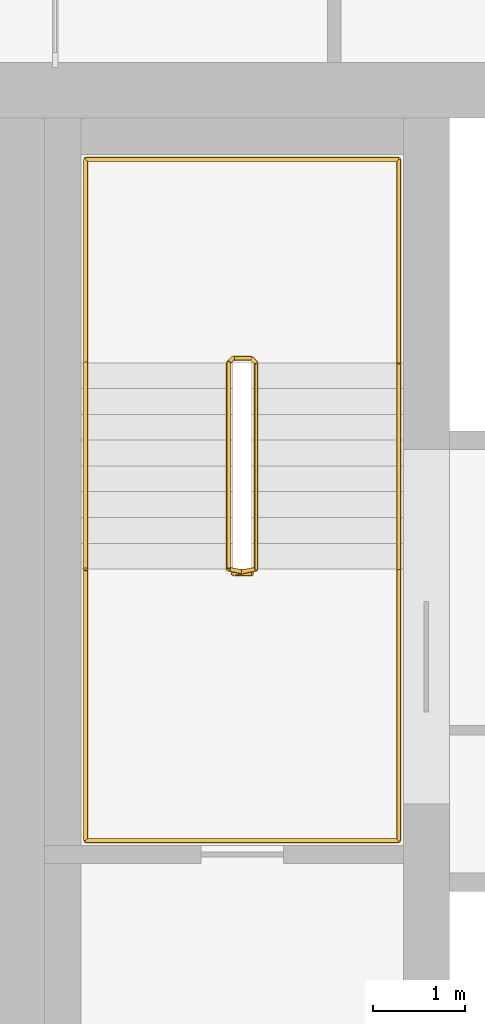
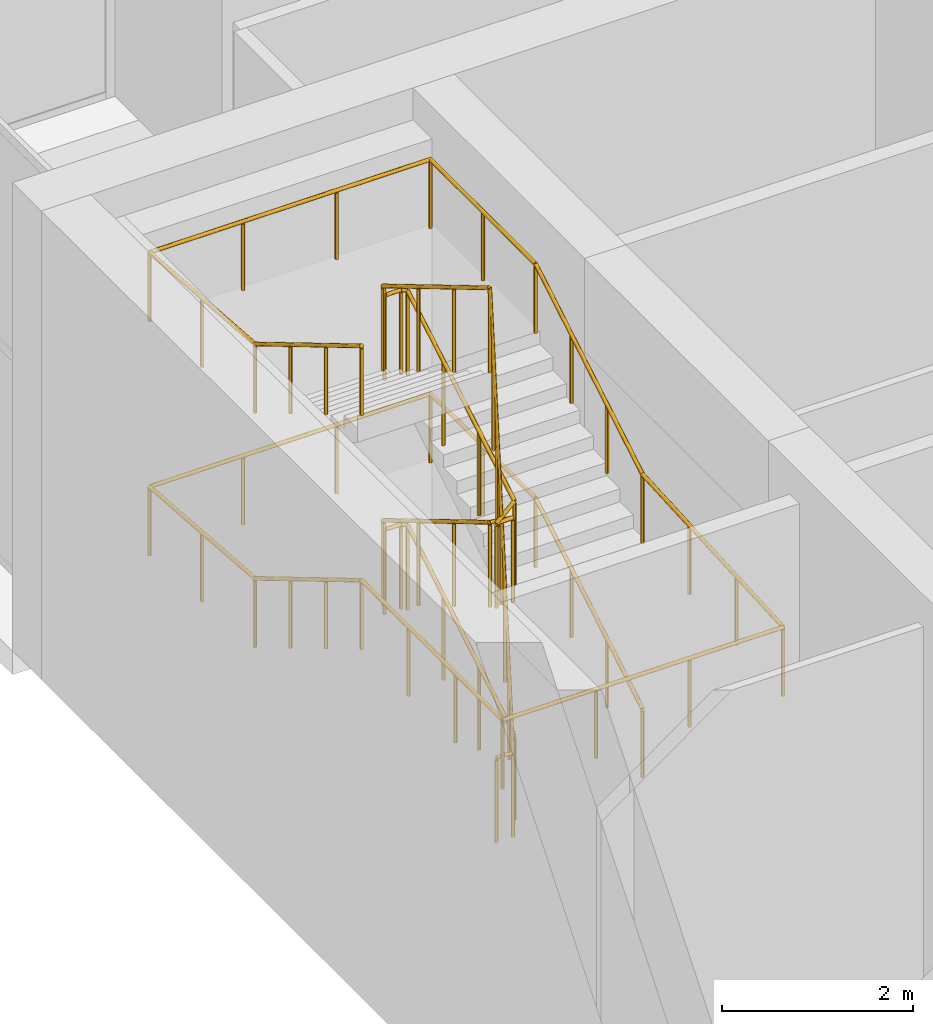
# One storey, part 15 of 15: 2 railings.
"""IFC4 building model written with IfcOpenShell, lengths in metres."""

from ifc_helpers import new_model, si_unit, direction, frame, origin, origin_2d, place, context, subcontext, project, spatial, circle, extrude, material, type_object, element, save


model = new_model("IFC4")

# Units and contexts
model_context = context("Model", 3, precision=1e-05, world=origin(), true_north=direction((0.0, 1.0)))
body_context = subcontext(model_context, "Body", "Model", "MODEL_VIEW")
ifc_project = project(units=[si_unit("LENGTHUNIT", "METRE"), si_unit("AREAUNIT", "SQUARE_METRE"), si_unit("VOLUMEUNIT", "CUBIC_METRE"), si_unit("PLANEANGLEUNIT", "RADIAN"), si_unit("MASSUNIT", "GRAM", prefix="KILO")], contexts=[model_context])

# Site, building, storey
site_placement = place(None, origin())
site = spatial("IfcSite", under=ifc_project, at=site_placement, CompositionType="ELEMENT")
building_placement = place(site_placement, origin())
building = spatial("IfcBuilding", under=site, at=building_placement, Name="Tamorin Gate", CompositionType="ELEMENT")
storey_placement = place(building_placement, frame((0.0, 0.0, 308.699951171875)))
storey = spatial("IfcBuildingStorey", under=building, at=storey_placement, Name="L76", CompositionType="ELEMENT", Elevation=308.699951171875)

# Railings
ifc_material_1 = material(Name="Painted steel balustrade", Category="steel")
railing_type_1 = type_object("IfcRailingType", Name="Stair guard 1100", PredefinedType="GUARDRAIL", material=ifc_material_1)
railing_1_placement = place(storey_placement, frame((32.89990234375, 77.0, 0.166748046875)))
element("IfcRailing", 1, at=railing_1_placement, inside=storey, type_object=railing_type_1, Name="L76 ST2 stair guard 1", PredefinedType="GUARDRAIL", context=body_context, shape_type="SweptSolid", body=[
    extrude(circle(Radius=0.02392578125, at=origin_2d()), frame((0.0, 0.0, 1.076171875), z_axis=(0.0, 0.859305625298, 0.511462454469), x_axis=(-1.0, 0.0, 0.0)), (0.0, 0.0, 1.0), 2.606689453125),
    extrude(circle(Radius=0.02392578125, at=origin_2d()), frame((0.0, 2.239990234375, 2.4091796875), z_axis=(-0.705375805398, 0.708833529934, 0.0), x_axis=(-0.708833529934, -0.705375805398, 0.0)), (0.0, 0.0, 1.0), 0.070556640625),
    extrude(circle(Radius=0.02392578125, at=origin_2d()), frame((-0.0498046875, 2.2900390625, 2.4091796875), z_axis=(-1.0, 0.0, 0.0), x_axis=(0.0, -1.0, 0.0)), (0.0, 0.0, 1.0), 0.2001953125),
    extrude(circle(Radius=0.02392578125, at=origin_2d()), frame((-0.25, 2.2900390625, 2.4091796875), z_axis=(-0.275041040955, -0.276389281352, 0.920848191041), x_axis=(0.708833529934, -0.705375805398, 0.0)), (0.0, 0.0, 1.0), 0.18115234375),
    extrude(circle(Radius=0.02392578125, at=origin_2d()), frame((-0.2998046875, 2.239990234375, 2.576171875), z_axis=(0.0, -0.859305625298, 0.511462454469), x_axis=(1.0, 0.0, 0.0)), (0.0, 0.0, 1.0), 2.606689453125),
    extrude(circle(Radius=0.02392578125, at=origin_2d()), frame((-0.2998046875, 0.0, 3.9091796875), z_axis=(0.98054382908, -0.196300278283, 0.0), x_axis=(0.196300278283, 0.98054382908, 0.0)), (0.0, 0.0, 1.0), 0.2548828125),
    extrude(circle(Radius=0.02392578125, at=origin_2d()), frame((-0.0498046875, -0.050048828125, 3.9091796875), z_axis=(-1.0, 0.0, 0.0), x_axis=(0.0, -1.0, 0.0)), (0.0, 0.0, 1.0), 0.2001953125),
    extrude(circle(Radius=0.02392578125, at=origin_2d()), frame((-0.25, -0.050048828125, 3.9091796875), z_axis=(0.820621892478, 0.164284656209, 0.547348391174), x_axis=(-0.196300278283, 0.98054382908, 0.0)), (0.0, 0.0, 1.0), 0.3046875),
    extrude(circle(Radius=0.02392578125, at=origin_2d()), frame((0.0, 0.0, 4.076171875), z_axis=(0.0, 0.859305625298, 0.511462454469), x_axis=(-1.0, 0.0, 0.0)), (0.0, 0.0, 1.0), 2.606689453125),
    extrude(circle(Radius=0.02392578125, at=origin_2d()), frame((0.0, 2.239990234375, 5.4091796875), z_axis=(-0.705375805398, 0.708833529934, 0.0), x_axis=(-0.708833529934, -0.705375805398, 0.0)), (0.0, 0.0, 1.0), 0.070556640625),
    extrude(circle(Radius=0.02392578125, at=origin_2d()), frame((-0.0498046875, 2.2900390625, 5.4091796875), z_axis=(-1.0, 0.0, 0.0), x_axis=(0.0, -1.0, 0.0)), (0.0, 0.0, 1.0), 0.2001953125),
    extrude(circle(Radius=0.02392578125, at=origin_2d()), frame((-0.25, 2.2900390625, 5.4091796875), z_axis=(-0.275041040955, -0.276389281352, 0.920848191041), x_axis=(0.708833529934, -0.705375805398, 0.0)), (0.0, 0.0, 1.0), 0.18115234375),
    extrude(circle(Radius=0.02392578125, at=origin_2d()), frame((-0.2998046875, 2.239990234375, 5.576171875), z_axis=(0.0, -0.859305625298, 0.511462454469), x_axis=(1.0, 0.0, 0.0)), (0.0, 0.0, 1.0), 2.606689453125),
    extrude(circle(Radius=0.02392578125, at=origin_2d()), frame((-0.2998046875, 0.0, 6.9091796875), z_axis=(0.041629098968, -0.008333950477, -0.999098375231), x_axis=(0.196300278283, 0.98054382908, 0.0)), (0.0, 0.0, 1.0), 6.00537109375),
    extrude(circle(Radius=0.02392578125, at=origin_2d()), frame((-0.0498046875, -0.050048828125, 0.9091796875), z_axis=(-1.0, 0.0, 0.0), x_axis=(0.0, -1.0, 0.0)), (0.0, 0.0, 1.0), 0.2001953125),
    extrude(circle(Radius=0.02099609375, at=origin_2d()), origin(), (0.0, 0.0, 1.0), 1.052001953125),
    extrude(circle(Radius=0.02099609375, at=origin_2d()), frame((0.0, 0.74658203125, 0.4443359375)), (0.0, 0.0, 1.0), 1.052001953125),
    extrude(circle(Radius=0.02099609375, at=origin_2d()), frame((0.0, 1.493408203125, 0.888916015625)), (0.0, 0.0, 1.0), 1.052001953125),
    extrude(circle(Radius=0.02099609375, at=origin_2d()), frame((0.0, 2.239990234375, 1.333251953125)), (0.0, 0.0, 1.0), 1.052001953125),
    extrude(circle(Radius=0.02099609375, at=origin_2d()), frame((-0.0498046875, 2.2900390625, 1.333251953125)), (0.0, 0.0, 1.0), 1.052001953125),
    extrude(circle(Radius=0.02099609375, at=origin_2d()), frame((-0.25, 2.2900390625, 1.333251953125)), (0.0, 0.0, 1.0), 1.052001953125),
    extrude(circle(Radius=0.02099609375, at=origin_2d()), frame((-0.2998046875, 2.239990234375, 1.5)), (0.0, 0.0, 1.0), 1.052001953125),
    extrude(circle(Radius=0.02099609375, at=origin_2d()), frame((-0.2998046875, 1.493408203125, 1.9443359375)), (0.0, 0.0, 1.0), 1.052001953125),
    extrude(circle(Radius=0.02099609375, at=origin_2d()), frame((-0.2998046875, 0.74658203125, 2.388916015625)), (0.0, 0.0, 1.0), 1.052001953125),
    extrude(circle(Radius=0.02099609375, at=origin_2d()), frame((-0.2998046875, 0.0, 2.833251953125)), (0.0, 0.0, 1.0), 1.052001953125),
    extrude(circle(Radius=0.02099609375, at=origin_2d()), frame((-0.0498046875, -0.050048828125, 2.833251953125)), (0.0, 0.0, 1.0), 1.052001953125),
    extrude(circle(Radius=0.02099609375, at=origin_2d()), frame((-0.25, -0.050048828125, 2.833251953125)), (0.0, 0.0, 1.0), 1.052001953125),
    extrude(circle(Radius=0.02099609375, at=origin_2d()), frame((0.0, 0.0, 3.0)), (0.0, 0.0, 1.0), 1.052001953125),
    extrude(circle(Radius=0.02099609375, at=origin_2d()), frame((0.0, 0.74658203125, 3.4443359375)), (0.0, 0.0, 1.0), 1.052001953125),
    extrude(circle(Radius=0.02099609375, at=origin_2d()), frame((0.0, 1.493408203125, 3.888916015625)), (0.0, 0.0, 1.0), 1.052001953125),
    extrude(circle(Radius=0.02099609375, at=origin_2d()), frame((0.0, 2.239990234375, 4.333251953125)), (0.0, 0.0, 1.0), 1.052001953125),
    extrude(circle(Radius=0.02099609375, at=origin_2d()), frame((-0.0498046875, 2.2900390625, 4.333251953125)), (0.0, 0.0, 1.0), 1.052001953125),
    extrude(circle(Radius=0.02099609375, at=origin_2d()), frame((-0.25, 2.2900390625, 4.333251953125)), (0.0, 0.0, 1.0), 1.052001953125),
    extrude(circle(Radius=0.02099609375, at=origin_2d()), frame((-0.2998046875, 2.239990234375, 4.5)), (0.0, 0.0, 1.0), 1.052001953125),
    extrude(circle(Radius=0.02099609375, at=origin_2d()), frame((-0.2998046875, 1.493408203125, 4.9443359375)), (0.0, 0.0, 1.0), 1.052001953125),
    extrude(circle(Radius=0.02099609375, at=origin_2d()), frame((-0.2998046875, 0.74658203125, 5.388916015625)), (0.0, 0.0, 1.0), 1.052001953125),
    extrude(circle(Radius=0.02099609375, at=origin_2d()), frame((-0.2998046875, 0.0, 5.833251953125)), (0.0, 0.0, 1.0), 1.052001953125),
    extrude(circle(Radius=0.02099609375, at=origin_2d()), frame((-0.258056640625, -0.00830078125, 4.833251953125)), (0.0, 0.0, 1.0), 1.052001953125),
    extrude(circle(Radius=0.02099609375, at=origin_2d()), frame((-0.216552734375, -0.0166015625, 3.833251953125)), (0.0, 0.0, 1.0), 1.052001953125),
    extrude(circle(Radius=0.02099609375, at=origin_2d()), frame((-0.1748046875, -0.02490234375, 2.833251953125)), (0.0, 0.0, 1.0), 1.052001953125),
    extrude(circle(Radius=0.02099609375, at=origin_2d()), frame((-0.133056640625, -0.033447265625, 1.833251953125)), (0.0, 0.0, 1.0), 1.052001953125),
    extrude(circle(Radius=0.02099609375, at=origin_2d()), frame((-0.091552734375, -0.041748046875, 0.833251953125)), (0.0, 0.0, 1.0), 1.052001953125),
    extrude(circle(Radius=0.02099609375, at=origin_2d()), frame((-0.0498046875, -0.050048828125, -0.166748046875)), (0.0, 0.0, 1.0), 1.052001953125),
    extrude(circle(Radius=0.02099609375, at=origin_2d()), frame((-0.25, -0.050048828125, -0.166748046875)), (0.0, 0.0, 1.0), 1.052001953125),
])
ifc_material_2 = material(Name="Painted steel handrail", Category="steel")
railing_type_2 = type_object("IfcRailingType", Name="Stair handrail 900", PredefinedType="HANDRAIL", material=ifc_material_2)
railing_2_placement = place(storey_placement, frame((34.449951171875, 77.0, 0.166748046875)))
element("IfcRailing", 2, at=railing_2_placement, inside=storey, type_object=railing_type_2, Name="L76 ST2 stair handrail 1", PredefinedType="HANDRAIL", context=body_context, shape_type="SweptSolid", body=[
    extrude(circle(Radius=0.02392578125, at=origin_2d()), frame((0.0, 0.0, 0.8759765625), z_axis=(0.0, 0.859305625298, 0.511462454469), x_axis=(-1.0, 0.0, 0.0)), (0.0, 0.0, 1.0), 2.606689453125),
    extrude(circle(Radius=0.02392578125, at=origin_2d()), frame((0.0, 2.239990234375, 2.208984375), z_axis=(0.0, 1.0, 0.0), x_axis=(-1.0, 0.0, 0.0)), (0.0, 0.0, 1.0), 2.2099609375),
    extrude(circle(Radius=0.02392578125, at=origin_2d()), frame((0.0, 4.449951171875, 2.208984375), z_axis=(-1.0, 0.0, 0.0), x_axis=(0.0, -1.0, 0.0)), (0.0, 0.0, 1.0), 3.39990234375),
    extrude(circle(Radius=0.02392578125, at=origin_2d()), frame((-3.39990234375, 4.449951171875, 2.208984375), z_axis=(0.0, -0.997165524118, 0.075239069042), x_axis=(1.0, 0.0, 0.0)), (0.0, 0.0, 1.0), 2.21630859375),
    extrude(circle(Radius=0.02392578125, at=origin_2d()), frame((-3.39990234375, 2.239990234375, 2.3759765625), z_axis=(0.0, -0.859305625298, 0.511462454469), x_axis=(1.0, 0.0, 0.0)), (0.0, 0.0, 1.0), 2.606689453125),
    extrude(circle(Radius=0.02392578125, at=origin_2d()), frame((-3.39990234375, 0.0, 3.708984375), z_axis=(0.0, -1.0, 0.0), x_axis=(1.0, 0.0, 0.0)), (0.0, 0.0, 1.0), 2.949951171875),
    extrude(circle(Radius=0.02392578125, at=origin_2d()), frame((-3.39990234375, -2.949951171875, 3.708984375), z_axis=(1.0, 0.0, 0.0), x_axis=(0.0, 1.0, 0.0)), (0.0, 0.0, 1.0), 3.39990234375),
    extrude(circle(Radius=0.02392578125, at=origin_2d()), frame((0.0, -2.949951171875, 3.708984375), z_axis=(0.0, 0.998406240989, 0.056435608921), x_axis=(-1.0, 0.0, 0.0)), (0.0, 0.0, 1.0), 2.95458984375),
    extrude(circle(Radius=0.02392578125, at=origin_2d()), frame((0.0, 0.0, 3.8759765625), z_axis=(0.0, 0.859305625298, 0.511462454469), x_axis=(-1.0, 0.0, 0.0)), (0.0, 0.0, 1.0), 2.606689453125),
    extrude(circle(Radius=0.02392578125, at=origin_2d()), frame((0.0, 2.239990234375, 5.208984375), z_axis=(0.0, 1.0, 0.0), x_axis=(-1.0, 0.0, 0.0)), (0.0, 0.0, 1.0), 2.2099609375),
    extrude(circle(Radius=0.02392578125, at=origin_2d()), frame((0.0, 4.449951171875, 5.208984375), z_axis=(-1.0, 0.0, 0.0), x_axis=(0.0, -1.0, 0.0)), (0.0, 0.0, 1.0), 3.39990234375),
    extrude(circle(Radius=0.02392578125, at=origin_2d()), frame((-3.39990234375, 4.449951171875, 5.208984375), z_axis=(0.0, -0.997165524118, 0.075239069042), x_axis=(1.0, 0.0, 0.0)), (0.0, 0.0, 1.0), 2.21630859375),
    extrude(circle(Radius=0.02392578125, at=origin_2d()), frame((-3.39990234375, 2.239990234375, 5.3759765625), z_axis=(0.0, -0.859305625298, 0.511462454469), x_axis=(1.0, 0.0, 0.0)), (0.0, 0.0, 1.0), 2.606689453125),
    extrude(circle(Radius=0.02099609375, at=origin_2d()), origin(), (0.0, 0.0, 1.0), 0.851806640625),
    extrude(circle(Radius=0.02099609375, at=origin_2d()), frame((0.0, 0.74658203125, 0.4443359375)), (0.0, 0.0, 1.0), 0.851806640625),
    extrude(circle(Radius=0.02099609375, at=origin_2d()), frame((0.0, 1.493408203125, 0.888916015625)), (0.0, 0.0, 1.0), 0.851806640625),
    extrude(circle(Radius=0.02099609375, at=origin_2d()), frame((0.0, 2.239990234375, 1.333251953125)), (0.0, 0.0, 1.0), 0.851806640625),
    extrude(circle(Radius=0.02099609375, at=origin_2d()), frame((0.0, 3.344970703125, 1.333251953125)), (0.0, 0.0, 1.0), 0.851806640625),
    extrude(circle(Radius=0.02099609375, at=origin_2d()), frame((0.0, 4.449951171875, 1.333251953125)), (0.0, 0.0, 1.0), 0.851806640625),
    extrude(circle(Radius=0.02099609375, at=origin_2d()), frame((-1.13330078125, 4.449951171875, 1.333251953125)), (0.0, 0.0, 1.0), 0.851806640625),
    extrude(circle(Radius=0.02099609375, at=origin_2d()), frame((-2.2666015625, 4.449951171875, 1.333251953125)), (0.0, 0.0, 1.0), 0.851806640625),
    extrude(circle(Radius=0.02099609375, at=origin_2d()), frame((-3.39990234375, 4.449951171875, 1.333251953125)), (0.0, 0.0, 1.0), 0.851806640625),
    extrude(circle(Radius=0.02099609375, at=origin_2d()), frame((-3.39990234375, 3.344970703125, 1.41650390625)), (0.0, 0.0, 1.0), 0.851806640625),
    extrude(circle(Radius=0.02099609375, at=origin_2d()), frame((-3.39990234375, 2.239990234375, 1.5)), (0.0, 0.0, 1.0), 0.851806640625),
    extrude(circle(Radius=0.02099609375, at=origin_2d()), frame((-3.39990234375, 1.493408203125, 1.9443359375)), (0.0, 0.0, 1.0), 0.851806640625),
    extrude(circle(Radius=0.02099609375, at=origin_2d()), frame((-3.39990234375, 0.74658203125, 2.388916015625)), (0.0, 0.0, 1.0), 0.851806640625),
    extrude(circle(Radius=0.02099609375, at=origin_2d()), frame((-3.39990234375, 0.0, 2.833251953125)), (0.0, 0.0, 1.0), 0.851806640625),
    extrude(circle(Radius=0.02099609375, at=origin_2d()), frame((-3.39990234375, -0.9833984375, 2.833251953125)), (0.0, 0.0, 1.0), 0.851806640625),
    extrude(circle(Radius=0.02099609375, at=origin_2d()), frame((-3.39990234375, -1.966552734375, 2.833251953125)), (0.0, 0.0, 1.0), 0.851806640625),
    extrude(circle(Radius=0.02099609375, at=origin_2d()), frame((-3.39990234375, -2.949951171875, 2.833251953125)), (0.0, 0.0, 1.0), 0.851806640625),
    extrude(circle(Radius=0.02099609375, at=origin_2d()), frame((-2.2666015625, -2.949951171875, 2.833251953125)), (0.0, 0.0, 1.0), 0.851806640625),
    extrude(circle(Radius=0.02099609375, at=origin_2d()), frame((-1.13330078125, -2.949951171875, 2.833251953125)), (0.0, 0.0, 1.0), 0.851806640625),
    extrude(circle(Radius=0.02099609375, at=origin_2d()), frame((0.0, -2.949951171875, 2.833251953125)), (0.0, 0.0, 1.0), 0.851806640625),
    extrude(circle(Radius=0.02099609375, at=origin_2d()), frame((0.0, -1.966552734375, 2.888916015625)), (0.0, 0.0, 1.0), 0.851806640625),
    extrude(circle(Radius=0.02099609375, at=origin_2d()), frame((0.0, -0.9833984375, 2.9443359375)), (0.0, 0.0, 1.0), 0.851806640625),
    extrude(circle(Radius=0.02099609375, at=origin_2d()), frame((0.0, 0.0, 3.0)), (0.0, 0.0, 1.0), 0.851806640625),
    extrude(circle(Radius=0.02099609375, at=origin_2d()), frame((0.0, 0.74658203125, 3.4443359375)), (0.0, 0.0, 1.0), 0.851806640625),
    extrude(circle(Radius=0.02099609375, at=origin_2d()), frame((0.0, 1.493408203125, 3.888916015625)), (0.0, 0.0, 1.0), 0.851806640625),
    extrude(circle(Radius=0.02099609375, at=origin_2d()), frame((0.0, 2.239990234375, 4.333251953125)), (0.0, 0.0, 1.0), 0.851806640625),
    extrude(circle(Radius=0.02099609375, at=origin_2d()), frame((0.0, 3.344970703125, 4.333251953125)), (0.0, 0.0, 1.0), 0.851806640625),
    extrude(circle(Radius=0.02099609375, at=origin_2d()), frame((0.0, 4.449951171875, 4.333251953125)), (0.0, 0.0, 1.0), 0.851806640625),
    extrude(circle(Radius=0.02099609375, at=origin_2d()), frame((-1.13330078125, 4.449951171875, 4.333251953125)), (0.0, 0.0, 1.0), 0.851806640625),
    extrude(circle(Radius=0.02099609375, at=origin_2d()), frame((-2.2666015625, 4.449951171875, 4.333251953125)), (0.0, 0.0, 1.0), 0.851806640625),
    extrude(circle(Radius=0.02099609375, at=origin_2d()), frame((-3.39990234375, 4.449951171875, 4.333251953125)), (0.0, 0.0, 1.0), 0.851806640625),
    extrude(circle(Radius=0.02099609375, at=origin_2d()), frame((-3.39990234375, 3.344970703125, 4.41650390625)), (0.0, 0.0, 1.0), 0.851806640625),
    extrude(circle(Radius=0.02099609375, at=origin_2d()), frame((-3.39990234375, 2.239990234375, 4.5)), (0.0, 0.0, 1.0), 0.851806640625),
    extrude(circle(Radius=0.02099609375, at=origin_2d()), frame((-3.39990234375, 1.493408203125, 4.9443359375)), (0.0, 0.0, 1.0), 0.851806640625),
    extrude(circle(Radius=0.02099609375, at=origin_2d()), frame((-3.39990234375, 0.74658203125, 5.388916015625)), (0.0, 0.0, 1.0), 0.851806640625),
    extrude(circle(Radius=0.02099609375, at=origin_2d()), frame((-3.39990234375, 0.0, 5.833251953125)), (0.0, 0.0, 1.0), 0.851806640625),
])

save(model, "model.ifc")
